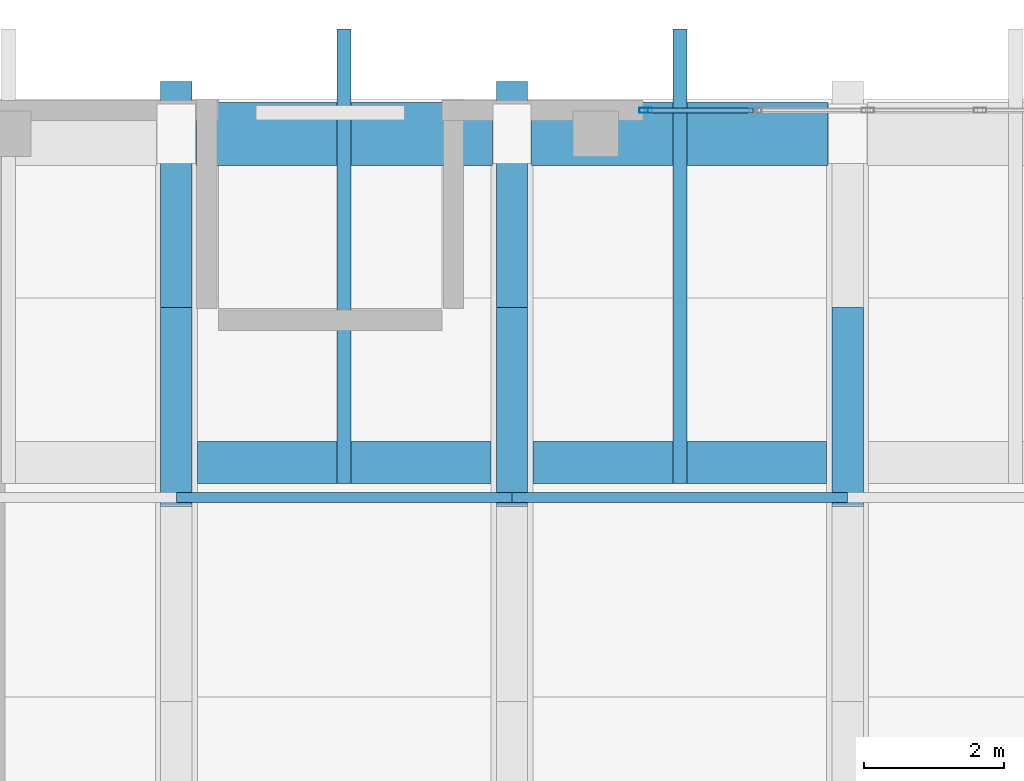
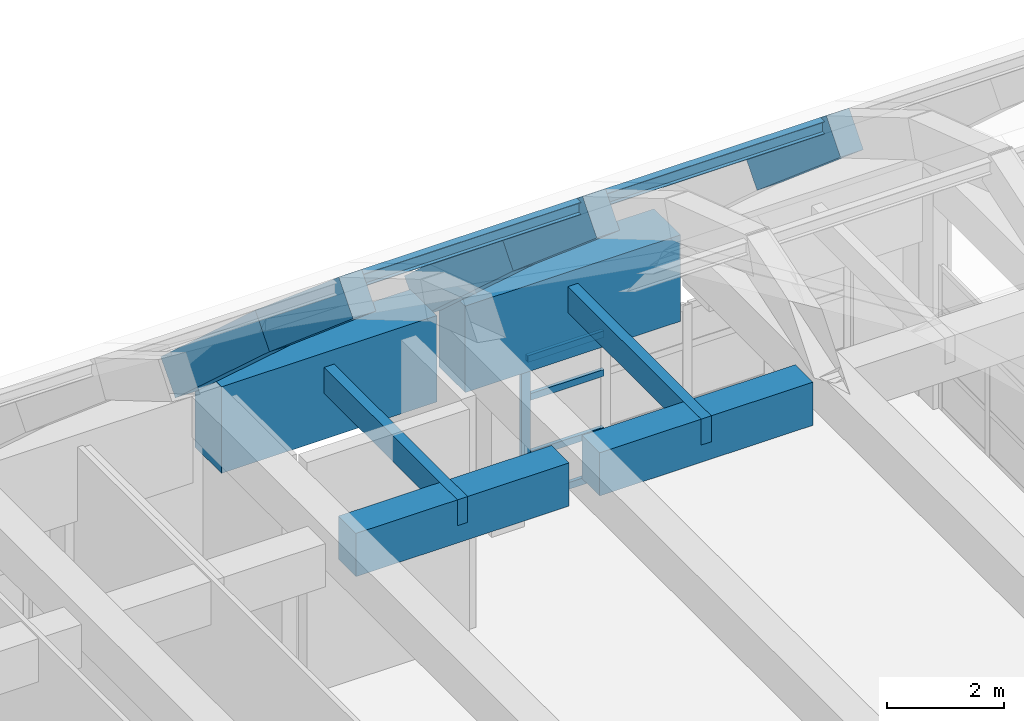
# One storey, part 52 of 78: 9 beams, 9 members, 1 element without a shape of its own.
"""IFC4 building model written with IfcOpenShell, lengths in metres."""

from ifc_helpers import new_model, si_unit, direction, frame, origin, origin_2d, place, context, subcontext, project, spatial, rectangle, hollow_rectangle, i_section, extrude, material, layer, layer_set, material_profile, profile_set, type_object, element, aggregate, save


model = new_model("IFC4")

# Units and contexts
model_context = context("Model", 3, precision=1e-05, world=origin(), true_north=direction((0.0, 1.0)))
body_context = subcontext(model_context, "Body", "Model", "MODEL_VIEW")
ifc_project = project(units=[si_unit("LENGTHUNIT", "METRE"), si_unit("AREAUNIT", "SQUARE_METRE"), si_unit("VOLUMEUNIT", "CUBIC_METRE"), si_unit("PLANEANGLEUNIT", "RADIAN"), si_unit("MASSUNIT", "GRAM", prefix="KILO")], contexts=[model_context])

# Site, building, storey
site_placement = place(None, origin())
site = spatial("IfcSite", under=ifc_project, at=site_placement, CompositionType="ELEMENT")
building_placement = place(site_placement, origin())
building = spatial("IfcBuilding", under=site, at=building_placement, Name="Quendrovan Civic Courthouse", CompositionType="ELEMENT")
storey_placement = place(building_placement, frame((0.0, 0.0, 20.39990234375)))
storey = spatial("IfcBuildingStorey", under=building, at=storey_placement, Name="L05", CompositionType="ELEMENT", Elevation=20.39990234375)

# Beams
ifc_material_1 = material(Name="Concrete C40/50", Category="concrete")
ifc_material_profile_1 = material_profile(ifc_material_1, rectangle(XDim=0.60009765625, YDim=0.89990234375, at=origin_2d()), Name="RC-BM-600x900")
ifc_profile_set_1 = profile_set([ifc_material_profile_1], Name="Concrete C40/50")
beam_type_1 = type_object("IfcBeamType", Name="BM-RC900", PredefinedType="BEAM", material=ifc_profile_set_1)
for number, where, z_axis, x_axis, name in (
    (1, (128.699951171875, 105.199951171875, 4.35009765625), (1.0, 0.0, 0.0), (0.0, 1.0, 0.0), "BV1 Eave Backspan Collector Beam N-B5"),
    (2, (133.5, 105.199951171875, 4.35009765625), (1.0, 0.0, 0.0), (0.0, 1.0, 0.0), "BV1 Eave Backspan Collector Beam N-B6"),
):
    element("IfcBeam", number, at=place(storey_placement, frame(where, z_axis=z_axis, x_axis=x_axis)), inside=storey, type_object=beam_type_1, Name=name, PredefinedType="BEAM", context=body_context, shape_type="SweptSolid", body=[
        extrude(rectangle(XDim=0.60009765625, YDim=0.89990234375, at=origin_2d()), origin(), (0.0, 0.0, 1.0), 4.199951171875),
    ])
ifc_material_2 = material(Name="Concrete C45/55", Category="concrete")
ifc_material_profile_2 = material_profile(ifc_material_2, rectangle(XDim=0.89990234375, YDim=1.800048828125, at=origin_2d()), Name="RC-TG-900x1800")
ifc_profile_set_2 = profile_set([ifc_material_profile_2], Name="Concrete C45/55")
beam_type_2 = type_object("IfcBeamType", Name="BM-TG1800", PredefinedType="BEAM", material=ifc_profile_set_2)
for number, where, z_axis, x_axis, name in (
    (3, (128.679931640625, 109.89990234375, 4.2001953125), (1.0, 0.0, 0.0), (0.0, 1.0, 0.0), "BV1 Springing Collector Girder N-5"),
    (4, (133.47998046875, 109.89990234375, 4.2001953125), (1.0, 0.0, 0.0), (0.0, 1.0, 0.0), "BV1 Springing Collector Girder N-6"),
):
    element("IfcBeam", number, at=place(storey_placement, frame(where, z_axis=z_axis, x_axis=x_axis)), inside=storey, type_object=beam_type_2, Name=name, PredefinedType="BEAM", context=body_context, shape_type="SweptSolid", body=[
        extrude(rectangle(XDim=0.89990234375, YDim=1.800048828125, at=origin_2d()), origin(), (0.0, 0.0, 1.0), 4.239990234375),
    ])
ifc_material_profile_3 = material_profile(ifc_material_1, rectangle(XDim=0.449951171875, YDim=0.75, at=origin_2d()), Name="RC-VRIB-450x750")
ifc_profile_set_3 = profile_set([ifc_material_profile_3], Name="Concrete C40/50")
beam_type_3 = type_object("IfcBeamType", Name="BM-VRIB750", PredefinedType="BEAM", material=ifc_profile_set_3)
beam_1_placement = place(storey_placement, frame((128.39990234375, 104.327880859375, 10.23779296875), z_axis=(0.0, 0.762387086329, -0.647121264214), x_axis=(-1.0, 0.0, 0.0)))
element("IfcBeam", 5, at=beam_1_placement, inside=storey, type_object=beam_type_3, Name="BV1 Concrete Vault Arch Rib A5-C7", PredefinedType="BEAM", context=body_context, shape_type="SweptSolid", body=[
    extrude(rectangle(XDim=0.449951171875, YDim=0.75, at=origin_2d()), origin(), (0.0, 0.0, 1.0), 3.73828125),
])
beam_2_placement = place(storey_placement, frame((128.39990234375, 107.123291015625, 7.871826171875), z_axis=(0.0, 0.740733725172, -0.671798740988), x_axis=(-1.0, 0.0, 0.0)))
element("IfcBeam", 6, at=beam_2_placement, inside=storey, type_object=beam_type_3, Name="BV1 Concrete Vault Arch Rib A5-C8", PredefinedType="BEAM", context=body_context, shape_type="SweptSolid", body=[
    extrude(rectangle(XDim=0.449951171875, YDim=0.75, at=origin_2d()), origin(), (0.0, 0.0, 1.0), 4.423583984375),
])
beam_3_placement = place(storey_placement, frame((133.199951171875, 104.327880859375, 10.23779296875), z_axis=(0.0, 0.762387086329, -0.647121264214), x_axis=(-1.0, 0.0, 0.0)))
element("IfcBeam", 7, at=beam_3_placement, inside=storey, type_object=beam_type_3, Name="BV1 Concrete Vault Arch Rib A6-C7", PredefinedType="BEAM", context=body_context, shape_type="SweptSolid", body=[
    extrude(rectangle(XDim=0.449951171875, YDim=0.75, at=origin_2d()), origin(), (0.0, 0.0, 1.0), 3.73828125),
])
beam_4_placement = place(storey_placement, frame((133.199951171875, 107.123291015625, 7.871826171875), z_axis=(0.0, 0.740733725172, -0.671798740988), x_axis=(-1.0, 0.0, 0.0)))
element("IfcBeam", 8, at=beam_4_placement, inside=storey, type_object=beam_type_3, Name="BV1 Concrete Vault Arch Rib A6-C8", PredefinedType="BEAM", context=body_context, shape_type="SweptSolid", body=[
    extrude(rectangle(XDim=0.449951171875, YDim=0.75, at=origin_2d()), origin(), (0.0, 0.0, 1.0), 4.423583984375),
])
beam_5_placement = place(storey_placement, frame((138.0, 104.327880859375, 10.23779296875), z_axis=(0.0, 0.762387086329, -0.647121264214), x_axis=(-1.0, 0.0, 0.0)))
element("IfcBeam", 9, at=beam_5_placement, inside=storey, type_object=beam_type_3, Name="BV1 Concrete Vault Arch Rib A7-C7", PredefinedType="BEAM", context=body_context, shape_type="SweptSolid", body=[
    extrude(rectangle(XDim=0.449951171875, YDim=0.75, at=origin_2d()), origin(), (0.0, 0.0, 1.0), 3.73828125),
])

# Curtain wall, members
ifc_material_3 = material(Name="Bronze anodised aluminium and low-E glass", Category="aluminium")
ifc_layer = layer(ifc_material_3, 0.179931640625, Name="Bronze anodised aluminium and low-E glass")
ifc_layer_set = layer_set([ifc_layer], Name="Bronze anodised aluminium and low-E glass")
curtain_wall_type = type_object("IfcCurtainWallType", Name="CW-U64x30", PredefinedType="USERDEFINED", material=ifc_layer_set)
curtain_wall_placement = place(storey_placement, origin())
curtain_wall = element("IfcCurtainWall", 10, at=curtain_wall_placement, inside=storey, type_object=curtain_wall_type, Name="L05 Unitised Hurricane Curtain Wall CW-194", ObjectType="UNITISED CURTAIN WALL", PredefinedType="USERDEFINED")
ifc_material_4 = material(Name="Bronze anodised aluminium", Category="aluminium")
ifc_material_profile_4 = material_profile(ifc_material_4, hollow_rectangle(XDim=0.070068359375, YDim=0.179931640625, WallThickness=0.00390625, at=origin_2d()), Name="CW-MULL-70x180")
ifc_profile_set_4 = profile_set([ifc_material_profile_4], Name="Bronze anodised aluminium")
member_type_1 = type_object("IfcMemberType", Name="CW-MULL-A", PredefinedType="MULLION", material=ifc_profile_set_4)
member_1_placement = place(storey_placement, frame((135.110107421875, 110.235107421875, 0.0), z_axis=(0.0, 0.0, 1.0), x_axis=(0.0, 1.0, 0.0)))
member_1 = element("IfcMember", 11, at=member_1_placement, type_object=member_type_1, Name="CW-194 mullion 1", PredefinedType="MULLION", context=body_context, shape_type="SweptSolid", body=[
    extrude(hollow_rectangle(XDim=0.070068359375, YDim=0.179931640625, WallThickness=0.00390625, at=origin_2d()), origin(), (0.0, 0.0, 1.0), 2.989990234375),
])
ifc_material_profile_5 = material_profile(ifc_material_4, hollow_rectangle(XDim=0.070068359375, YDim=0.139892578125, WallThickness=0.00390625, at=origin_2d()), Name="CW-TRAN-70x140")
ifc_profile_set_5 = profile_set([ifc_material_profile_5], Name="Bronze anodised aluminium")
member_type_2 = type_object("IfcMemberType", Name="CW-TRAN-A", PredefinedType="USERDEFINED", material=ifc_profile_set_5)
member_2_placement = place(storey_placement, frame((135.14501953125, 110.235107421875, 0.03515625), z_axis=(1.0, 0.0, 0.0), x_axis=(0.0, 1.0, 0.0)))
member_2 = element("IfcMember", 12, at=member_2_placement, type_object=member_type_2, Name="CW-194 transom 1.1", ObjectType="TRANSOM", PredefinedType="USERDEFINED", context=body_context, shape_type="SweptSolid", body=[
    extrude(hollow_rectangle(XDim=0.070068359375, YDim=0.139892578125, WallThickness=0.00390625, at=origin_2d()), origin(), (0.0, 0.0, 1.0), 1.501220703125),
])
member_3_placement = place(storey_placement, frame((135.14501953125, 110.235107421875, 0.9501953125), z_axis=(1.0, 0.0, 0.0), x_axis=(0.0, 1.0, 0.0)))
member_3 = element("IfcMember", 13, at=member_3_placement, type_object=member_type_2, Name="CW-194 transom 1.2", ObjectType="TRANSOM", PredefinedType="USERDEFINED", context=body_context, shape_type="SweptSolid", body=[
    extrude(hollow_rectangle(XDim=0.070068359375, YDim=0.139892578125, WallThickness=0.00390625, at=origin_2d()), origin(), (0.0, 0.0, 1.0), 1.501220703125),
])
member_4_placement = place(storey_placement, frame((135.14501953125, 110.235107421875, 2.150146484375), z_axis=(1.0, 0.0, 0.0), x_axis=(0.0, 1.0, 0.0)))
member_4 = element("IfcMember", 14, at=member_4_placement, type_object=member_type_2, Name="CW-194 transom 1.3", ObjectType="TRANSOM", PredefinedType="USERDEFINED", context=body_context, shape_type="SweptSolid", body=[
    extrude(hollow_rectangle(XDim=0.070068359375, YDim=0.139892578125, WallThickness=0.00390625, at=origin_2d()), origin(), (0.0, 0.0, 1.0), 1.501220703125),
])
member_5_placement = place(storey_placement, frame((135.14501953125, 110.235107421875, 2.955078125), z_axis=(1.0, 0.0, 0.0), x_axis=(0.0, 1.0, 0.0)))
member_5 = element("IfcMember", 15, at=member_5_placement, type_object=member_type_2, Name="CW-194 transom 1.4", ObjectType="TRANSOM", PredefinedType="USERDEFINED", context=body_context, shape_type="SweptSolid", body=[
    extrude(hollow_rectangle(XDim=0.070068359375, YDim=0.139892578125, WallThickness=0.00390625, at=origin_2d()), origin(), (0.0, 0.0, 1.0), 1.501220703125),
])
aggregate(curtain_wall, [member_1, member_2, member_3, member_4, member_5])

# Members
ifc_material_5 = material(Name="Western Red Cedar Glulam GL28h", Category="wood")
ifc_material_profile_6 = material_profile(ifc_material_5, rectangle(XDim=0.199951171875, YDim=0.5400390625, at=origin_2d()), Name="GL28H-200x540")
ifc_profile_set_6 = profile_set([ifc_material_profile_6], Name="Western Red Cedar Glulam GL28h")
member_type_3 = type_object("IfcMemberType", Name="MEM-PUR-GL540", PredefinedType="PURLIN", material=ifc_profile_set_6)
for number, where, z_axis, x_axis, name in (
    (16, (130.800048828125, 104.89990234375, 4.530029296875), (0.0, 1.0, 0.0), (-1.0, 0.0, 0.0), "BV1 Cedar Glulam North Hurricane Eave Outrigger B5"),
    (17, (135.60009765625, 104.89990234375, 4.530029296875), (0.0, 1.0, 0.0), (-1.0, 0.0, 0.0), "BV1 Cedar Glulam North Hurricane Eave Outrigger B6"),
):
    element("IfcMember", number, at=place(storey_placement, frame(where, z_axis=z_axis, x_axis=x_axis)), inside=storey, type_object=member_type_3, Name=name, PredefinedType="PURLIN", context=body_context, shape_type="SweptSolid", body=[
        extrude(rectangle(XDim=0.199951171875, YDim=0.5400390625, at=origin_2d()), origin(), (0.0, 0.0, 1.0), 6.5),
    ])
ifc_material_6 = material(Name="Steel ASTM A992 Grade 50", Category="steel")
ifc_material_profile_7 = material_profile(ifc_material_6, i_section(OverallWidth=0.14599609375, OverallDepth=0.258056640625, WebThickness=0.006103515625, FlangeThickness=0.009033203125, at=origin_2d()), Name="W250x33")
ifc_profile_set_7 = profile_set([ifc_material_profile_7], Name="Steel ASTM A992 Grade 50")
member_type_4 = type_object("IfcMemberType", Name="MEM-PUR-W250", PredefinedType="PURLIN", material=ifc_profile_set_7)
for number, where, z_axis, x_axis, name in (
    (18, (128.39990234375, 104.699951171875, 10.236083984375), (1.0, 0.0, 0.0), (0.0, 1.0, 0.0), "BV1 Vault Longitudinal Purlin B5-3"),
    (19, (133.199951171875, 104.699951171875, 10.236083984375), (1.0, 0.0, 0.0), (0.0, 1.0, 0.0), "BV1 Vault Longitudinal Purlin B6-3"),
):
    element("IfcMember", number, at=place(storey_placement, frame(where, z_axis=z_axis, x_axis=x_axis)), inside=storey, type_object=member_type_4, Name=name, PredefinedType="PURLIN", context=body_context, shape_type="SweptSolid", body=[
        extrude(i_section(OverallWidth=0.14599609375, OverallDepth=0.258056640625, WebThickness=0.006103515625, FlangeThickness=0.009033203125, at=origin_2d()), origin(), (0.0, 0.0, 1.0), 4.800048828125),
    ])

save(model, "model.ifc")
